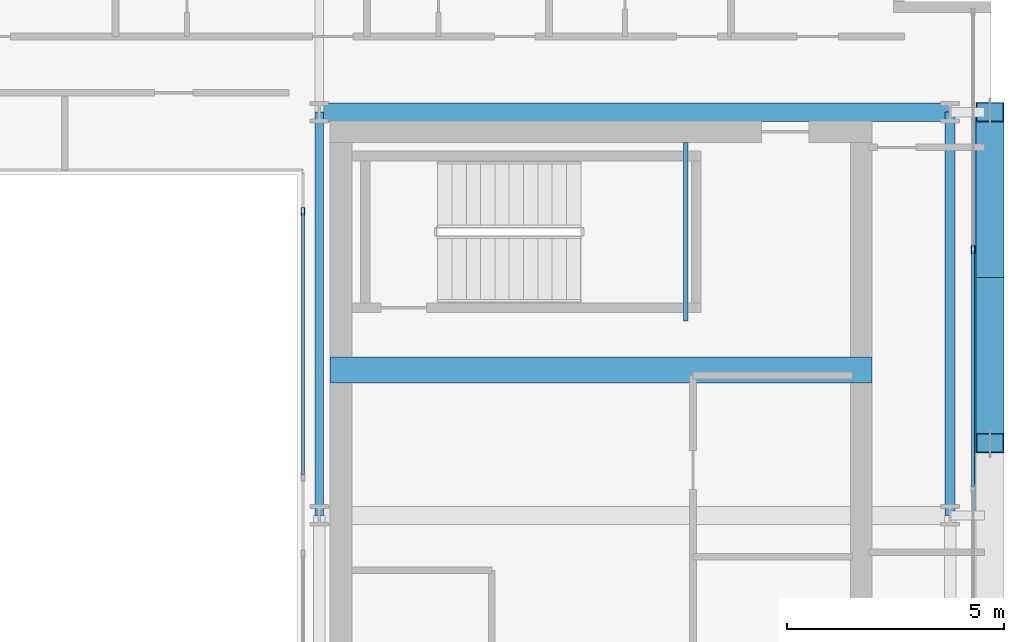
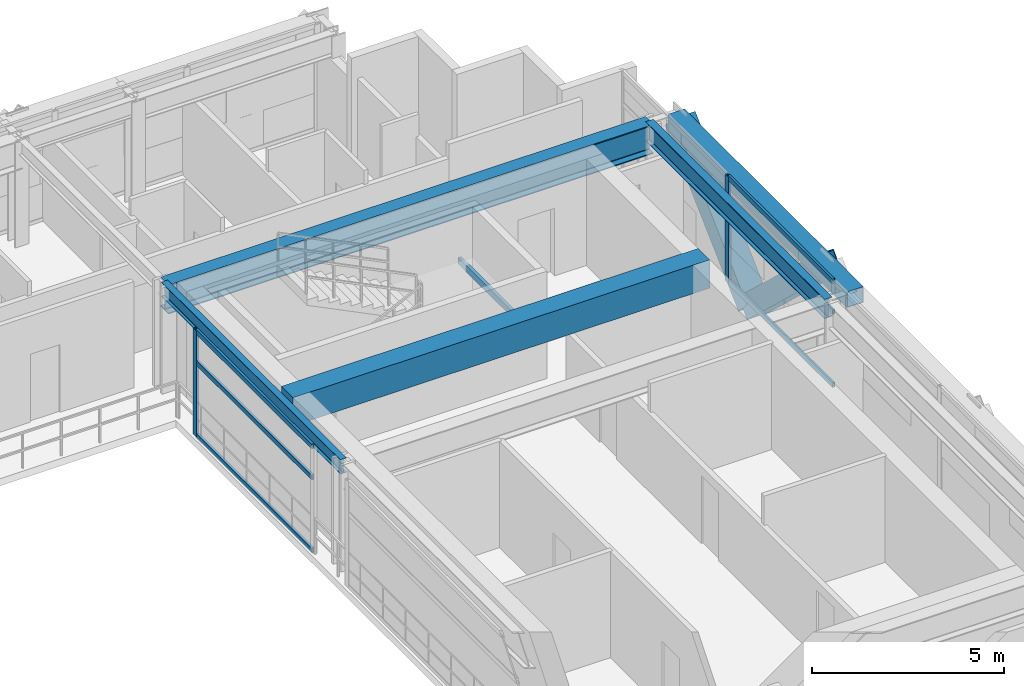
# One storey, part 18 of 37: 10 members, 6 beams, 2 elements without a shape of their own.
"""IFC4 building model written with IfcOpenShell, lengths in metres."""

from ifc_helpers import new_model, si_unit, direction, frame, origin, origin_2d, place, context, subcontext, project, spatial, rectangle, hollow_rectangle, i_section, extrude, source, transform, mapped, material, layer, layer_set, material_profile, profile_set, type_object, element, aggregate, save


model = new_model("IFC4")

# Units and contexts
model_context = context("Model", 3, precision=1e-05, world=origin(), true_north=direction((0.0, 1.0)))
body_context = subcontext(model_context, "Body", "Model", "MODEL_VIEW")
ifc_project = project(units=[si_unit("LENGTHUNIT", "METRE"), si_unit("AREAUNIT", "SQUARE_METRE"), si_unit("VOLUMEUNIT", "CUBIC_METRE"), si_unit("PLANEANGLEUNIT", "RADIAN"), si_unit("MASSUNIT", "GRAM", prefix="KILO")], contexts=[model_context])

# Site, building, storey
site_placement = place(None, origin())
site = spatial("IfcSite", under=ifc_project, at=site_placement, CompositionType="ELEMENT")
building_placement = place(site_placement, origin())
building = spatial("IfcBuilding", under=site, at=building_placement, Name="Ocotamira Hotel", CompositionType="ELEMENT")
storey_placement = place(building_placement, frame((0.0, 0.0, 192.0)))
storey = spatial("IfcBuildingStorey", under=building, at=storey_placement, Name="L48", CompositionType="ELEMENT", Elevation=192.0)

# Beams
ifc_material_1 = material(Name="Concrete C50/60", Category="concrete")
ifc_material_profile_1 = material_profile(ifc_material_1, rectangle(XDim=0.60009765625, YDim=0.89990234375, at=origin_2d()), Name="RC600X900")
ifc_profile_set_1 = profile_set([ifc_material_profile_1], Name="Concrete C50/60")
beam_type_1 = type_object("IfcBeamType", Name="BM-LINK-RC600", PredefinedType="LINTEL", material=ifc_profile_set_1)
shared_shape_1 = source(origin(), body_context, "Body", "SweptSolid", [
    extrude(rectangle(XDim=0.60009765625, YDim=0.89990234375, at=origin_2d()), origin(), (0.0, 0.0, 1.0), 12.5),
])
beam_1_placement = place(storey_placement, frame((40.75, 31.5, 2.919921875), z_axis=(1.0, 0.0, 0.0), x_axis=(0.0, 1.0, 0.0)))
element("IfcBeam", 1, at=beam_1_placement, inside=storey, type_object=beam_type_1, Name="L48 East Core Coupling Beam", PredefinedType="LINTEL", context=body_context, shape_type="MappedRepresentation", body=[
    mapped(shared_shape_1, transform((0.0, 0.0, 0.0), scale=1.0)),
])
ifc_material_2 = material(Name="Steel ASTM A500 Grade C", Category="steel")
ifc_material_profile_2 = material_profile(ifc_material_2, hollow_rectangle(XDim=0.10009765625, YDim=0.199951171875, WallThickness=0.008056640625, at=origin_2d()), Name="HSS200X100X8")
ifc_profile_set_2 = profile_set([ifc_material_profile_2], Name="Steel ASTM A500 Grade C")
beam_type_2 = type_object("IfcBeamType", Name="BM-STLDG-HSS200", PredefinedType="BEAM", material=ifc_profile_set_2)
shared_shape_2 = source(origin(), body_context, "Body", "SweptSolid", [
    extrude(hollow_rectangle(XDim=0.10009765625, YDim=0.199951171875, WallThickness=0.008056640625, at=origin_2d()), origin(), (0.0, 0.0, 1.0), 4.1201171875),
])
beam_2_placement = place(storey_placement, frame((48.949951171875, 32.6298828125, 1.5), z_axis=(0.0, 1.0, 0.0), x_axis=(-1.0, 0.0, 0.0)))
element("IfcBeam", 2, at=beam_2_placement, inside=storey, type_object=beam_type_2, Name="L48 Stair ST-4 Landing Bearer 1", PredefinedType="BEAM", context=body_context, shape_type="MappedRepresentation", body=[
    mapped(shared_shape_2, transform((0.0, 0.0, 0.0), scale=1.0)),
])
ifc_material_3 = material(Name="Steel ASTM A992 Grade 50", Category="steel")
ifc_material_profile_3 = material_profile(ifc_material_3, i_section(OverallWidth=0.41796875, OverallDepth=0.927001953125, WebThickness=0.019287109375, FlangeThickness=0.031982421875, FilletRadius=0.02392578125, at=origin_2d()), Name="W36X231")
ifc_profile_set_3 = profile_set([ifc_material_profile_3], Name="Steel ASTM A992 Grade 50")
beam_type_3 = type_object("IfcBeamType", Name="BM-GIRD-W36X231", PredefinedType="BEAM", material=ifc_profile_set_3)
shared_shape_3 = source(origin(), body_context, "Body", "SweptSolid", [
    extrude(i_section(OverallWidth=0.41796875, OverallDepth=0.927001953125, WebThickness=0.019287109375, FlangeThickness=0.031982421875, FilletRadius=0.02392578125, at=origin_2d()), origin(), (0.0, 0.0, 1.0), 14.550048828125),
])
beam_3_placement = place(storey_placement, frame((40.5, 37.449951171875, 2.906494140625), z_axis=(1.0, 0.0, 0.0), x_axis=(0.0, 1.0, 0.0)))
element("IfcBeam", 3, at=beam_3_placement, inside=storey, type_object=beam_type_3, Name="L48 Girder Y37.45 X40.5-55.05", PredefinedType="BEAM", context=body_context, shape_type="MappedRepresentation", body=[
    mapped(shared_shape_3, transform((0.0, 0.0, 0.0), scale=1.0)),
])
ifc_material_profile_4 = material_profile(ifc_material_3, i_section(OverallWidth=0.22998046875, OverallDepth=0.616943359375, WebThickness=0.01318359375, FlangeThickness=0.022216796875, FilletRadius=0.012939453125, at=origin_2d()), Name="W24X94")
ifc_profile_set_4 = profile_set([ifc_material_profile_4], Name="Steel ASTM A992 Grade 50")
beam_type_4 = type_object("IfcBeamType", Name="BM-PRIM-W24X94", PredefinedType="BEAM", material=ifc_profile_set_4)
shared_shape_4 = source(origin(), body_context, "Body", "SweptSolid", [
    extrude(i_section(OverallWidth=0.22998046875, OverallDepth=0.616943359375, WebThickness=0.01318359375, FlangeThickness=0.022216796875, FilletRadius=0.012939453125, at=origin_2d()), origin(), (0.0, 0.0, 1.0), 9.300048828125),
])
beam_4_placement = place(storey_placement, frame((55.050048828125, 28.14990234375, 3.0615234375), z_axis=(0.0, 1.0, 0.0), x_axis=(-1.0, 0.0, 0.0)))
element("IfcBeam", 4, at=beam_4_placement, inside=storey, type_object=beam_type_4, Name="L48 Beam X55.05 Y28.15-37.45", PredefinedType="BEAM", context=body_context, shape_type="MappedRepresentation", body=[
    mapped(shared_shape_4, transform((0.0, 0.0, 0.0), scale=1.0)),
])
ifc_material_profile_5 = material_profile(ifc_material_3, i_section(OverallWidth=0.18994140625, OverallDepth=0.45703125, WebThickness=0.009033203125, FlangeThickness=0.014404296875, FilletRadius=0.010009765625, at=origin_2d()), Name="W18X50")
ifc_profile_set_5 = profile_set([ifc_material_profile_5], Name="Steel ASTM A992 Grade 50")
beam_type_5 = type_object("IfcBeamType", Name="BM-SEC-W18X50", PredefinedType="JOIST", material=ifc_profile_set_5)
shared_shape_5 = source(origin(), body_context, "Body", "SweptSolid", [
    extrude(i_section(OverallWidth=0.18994140625, OverallDepth=0.45703125, WebThickness=0.009033203125, FlangeThickness=0.014404296875, FilletRadius=0.010009765625, at=origin_2d()), origin(), (0.0, 0.0, 1.0), 9.300048828125),
])
beam_5_placement = place(storey_placement, frame((40.5, 28.14990234375, 3.1416015625), z_axis=(0.0, 1.0, 0.0), x_axis=(-1.0, 0.0, 0.0)))
element("IfcBeam", 5, at=beam_5_placement, inside=storey, type_object=beam_type_5, Name="L48 Beam X40.5 Y28.15-37.45", PredefinedType="JOIST", context=body_context, shape_type="MappedRepresentation", body=[
    mapped(shared_shape_5, transform((0.0, 0.0, 0.0), scale=1.0)),
])
ifc_material_profile_6 = material_profile(ifc_material_2, hollow_rectangle(XDim=0.5, YDim=0.5, WallThickness=0.02001953125, at=origin_2d()), Name="HSS500X500X20")
ifc_profile_set_6 = profile_set([ifc_material_profile_6], Name="Steel ASTM A500 Grade C")
beam_type_6 = type_object("IfcBeamType", Name="BM-SPAN-HSS500", PredefinedType="USERDEFINED", material=ifc_profile_set_6)
shared_shape_6 = source(origin(), body_context, "Body", "SweptSolid", [
    extrude(hollow_rectangle(XDim=0.5, YDim=0.5, WallThickness=0.02001953125, at=origin_2d()), origin(), (0.0, 0.0, 1.0), 9.300048828125),
])
beam_6_placement = place(storey_placement, frame((55.85009765625, 28.14990234375, 3.1201171875), z_axis=(0.0, 1.0, 0.0), x_axis=(-1.0, 0.0, 0.0)))
element("IfcBeam", 6, at=beam_6_placement, inside=storey, type_object=beam_type_6, Name="L48 Edge Spandrel E Y28.15-37.45", ObjectType="SPANDREL", PredefinedType="USERDEFINED", context=body_context, shape_type="MappedRepresentation", body=[
    mapped(shared_shape_6, transform((0.0, 0.0, 0.0), scale=1.0)),
])

# Members
ifc_material_4 = material(Name="Pale-metal coated steel ASTM A913 Grade 65", Category="steel")
ifc_material_profile_7 = material_profile(ifc_material_4, hollow_rectangle(XDim=0.64990234375, YDim=0.64990234375, WallThickness=0.02197265625, at=origin_2d()), Name="BOX650X650X22")
ifc_profile_set_7 = profile_set([ifc_material_profile_7], Name="Pale-metal coated steel ASTM A913 Grade 65")
member_type_1 = type_object("IfcMemberType", Name="MEM-EXO-BOX650", PredefinedType="BRACE", material=ifc_profile_set_7)
shared_shape_7 = source(origin(), body_context, "Body", "SweptSolid", [
    extrude(hollow_rectangle(XDim=0.64990234375, YDim=0.64990234375, WallThickness=0.02197265625, at=origin_2d()), origin(), (0.0, 0.0, 1.0), 5.24658203125),
])
for number, where, z_axis, x_axis, name in (
    (7, (55.969970703125, 33.63330078125, -0.47998046875), (0.0, -0.727442733726, 0.686168397078), (1.0, 0.0, 0.0), "L48 Exoskeleton Diagrid E2.1"),
    (8, (55.969970703125, 33.63330078125, -0.47998046875), (0.0, 0.727442733726, 0.686168397078), (-1.0, 0.0, 0.0), "L48 Exoskeleton Diagrid E2.2"),
):
    element("IfcMember", number, at=place(storey_placement, frame(where, z_axis=z_axis, x_axis=x_axis)), inside=storey, type_object=member_type_1, Name=name, PredefinedType="BRACE", context=body_context, shape_type="MappedRepresentation", body=[
        mapped(shared_shape_7, transform((0.0, 0.0, 0.0), scale=1.0)),
    ])

# Curtain wall, member
ifc_material_5 = material(Name="Anodised pale-metal aluminium and solar glass", Category="aluminium")
ifc_layer_1 = layer(ifc_material_5, 0.199951171875)
ifc_layer_set_1 = layer_set([ifc_layer_1], Name="Anodised pale-metal aluminium and solar glass")
curtain_wall_type_1 = type_object("IfcCurtainWallType", Name="CW-SYS4-Z3", PredefinedType="NOTDEFINED", material=ifc_layer_set_1)
curtain_wall_1_placement = place(storey_placement, origin())
curtain_wall_1 = element("IfcCurtainWall", 9, at=curtain_wall_1_placement, inside=storey, type_object=curtain_wall_type_1, Name="L48 Curtain Wall CW-4 CW-L48-E", PredefinedType="NOTDEFINED")
ifc_material_6 = material(Name="Anodised pale-metal aluminium 6063-T6", Category="aluminium")
ifc_material_profile_8 = material_profile(ifc_material_6, hollow_rectangle(XDim=0.080078125, YDim=0.179931640625, WallThickness=0.006103515625, at=origin_2d()), Name="HSS180X80X6")
ifc_profile_set_8 = profile_set([ifc_material_profile_8], Name="Anodised pale-metal aluminium 6063-T6")
member_type_2 = type_object("IfcMemberType", Name="CWM-180X75", PredefinedType="MULLION", material=ifc_profile_set_8)
shared_shape_8 = source(origin(), body_context, "Body", "SweptSolid", [
    extrude(hollow_rectangle(XDim=0.080078125, YDim=0.179931640625, WallThickness=0.006103515625, at=origin_2d()), origin(), (0.0, 0.0, 1.0), 3.3701171875),
])
member_1_placement = place(storey_placement, frame((55.580078125, 34.280029296875, 0.0), z_axis=(0.0, 0.0, 1.0), x_axis=(-1.0, 0.0, 0.0)))
member_1 = element("IfcMember", 10, at=member_1_placement, type_object=member_type_2, Name="CW-4 mullion 5", PredefinedType="MULLION", context=body_context, shape_type="MappedRepresentation", body=[
    mapped(shared_shape_8, transform((0.0, 0.0, 0.0), scale=1.0)),
])

ifc_layer_2 = layer(ifc_material_5, 0.159912109375)
ifc_layer_set_2 = layer_set([ifc_layer_2], Name="Anodised pale-metal aluminium and solar glass")
curtain_wall_type_2 = type_object("IfcCurtainWallType", Name="CW-SYS6-ATR", PredefinedType="NOTDEFINED", material=ifc_layer_set_2)
curtain_wall_2_placement = place(storey_placement, origin())
curtain_wall_2 = element("IfcCurtainWall", 11, at=curtain_wall_2_placement, inside=storey, type_object=curtain_wall_type_2, Name="L48 Curtain Wall CW-6 CW-L48-ATRE2", PredefinedType="NOTDEFINED")
member_2_placement = place(storey_placement, frame((40.1201171875, 35.159912109375, 0.0), z_axis=(0.0, 0.0, 1.0), x_axis=(-1.0, 0.0, 0.0)))
member_2 = element("IfcMember", 12, at=member_2_placement, type_object=member_type_2, Name="CW-6 mullion 2", PredefinedType="MULLION", context=body_context, shape_type="MappedRepresentation", body=[
    mapped(shared_shape_8, transform((0.0, 0.0, 0.0), scale=1.0)),
])

# Member
ifc_material_profile_9 = material_profile(ifc_material_6, hollow_rectangle(XDim=0.074951171875, YDim=0.14990234375, WallThickness=0.006103515625, at=origin_2d()), Name="HSS150X75X6")
ifc_profile_set_9 = profile_set([ifc_material_profile_9], Name="Anodised pale-metal aluminium 6063-T6")
member_type_3 = type_object("IfcMemberType", Name="CWT-150X75", PredefinedType="USERDEFINED", material=ifc_profile_set_9)
shared_shape_9 = source(origin(), body_context, "Body", "SweptSolid", [
    extrude(hollow_rectangle(XDim=0.074951171875, YDim=0.14990234375, WallThickness=0.006103515625, at=origin_2d()), origin(), (0.0, 0.0, 1.0), 5.43994140625),
])
member_3_placement = place(storey_placement, frame((55.580078125, 28.800048828125, 0.03759765625), z_axis=(0.0, 1.0, 0.0), x_axis=(-1.0, 0.0, 0.0)))
member_3 = element("IfcMember", 13, at=member_3_placement, type_object=member_type_3, Name="CW-4 transom 4.1", ObjectType="TRANSOM", PredefinedType="USERDEFINED", context=body_context, shape_type="MappedRepresentation", body=[
    mapped(shared_shape_9, transform((0.0, 0.0, 0.0), scale=1.0)),
])

member_4_placement = place(storey_placement, frame((55.580078125, 28.800048828125, 2.35009765625), z_axis=(0.0, 1.0, 0.0), x_axis=(-1.0, 0.0, 0.0)))
member_4 = element("IfcMember", 14, at=member_4_placement, type_object=member_type_3, Name="CW-4 transom 4.2", ObjectType="TRANSOM", PredefinedType="USERDEFINED", context=body_context, shape_type="MappedRepresentation", body=[
    mapped(shared_shape_9, transform((0.0, 0.0, 0.0), scale=1.0)),
])

member_5_placement = place(storey_placement, frame((55.580078125, 28.800048828125, 3.33251953125), z_axis=(0.0, 1.0, 0.0), x_axis=(-1.0, 0.0, 0.0)))
member_5 = element("IfcMember", 15, at=member_5_placement, type_object=member_type_3, Name="CW-4 transom 4.3", ObjectType="TRANSOM", PredefinedType="USERDEFINED", context=body_context, shape_type="MappedRepresentation", body=[
    mapped(shared_shape_9, transform((0.0, 0.0, 0.0), scale=1.0)),
])

aggregate(curtain_wall_1, [member_1, member_3, member_4, member_5])

shared_shape_10 = source(origin(), body_context, "Body", "SweptSolid", [
    extrude(hollow_rectangle(XDim=0.074951171875, YDim=0.14990234375, WallThickness=0.006103515625, at=origin_2d()), origin(), (0.0, 0.0, 1.0), 6.0400390625),
])
member_6_placement = place(storey_placement, frame((40.1201171875, 29.080078125, 0.03759765625), z_axis=(0.0, 1.0, 0.0), x_axis=(-1.0, 0.0, 0.0)))
member_6 = element("IfcMember", 16, at=member_6_placement, type_object=member_type_3, Name="CW-6 transom 1.1", ObjectType="TRANSOM", PredefinedType="USERDEFINED", context=body_context, shape_type="MappedRepresentation", body=[
    mapped(shared_shape_10, transform((0.0, 0.0, 0.0), scale=1.0)),
])

member_7_placement = place(storey_placement, frame((40.1201171875, 29.080078125, 2.35009765625), z_axis=(0.0, 1.0, 0.0), x_axis=(-1.0, 0.0, 0.0)))
member_7 = element("IfcMember", 17, at=member_7_placement, type_object=member_type_3, Name="CW-6 transom 1.2", ObjectType="TRANSOM", PredefinedType="USERDEFINED", context=body_context, shape_type="MappedRepresentation", body=[
    mapped(shared_shape_10, transform((0.0, 0.0, 0.0), scale=1.0)),
])

member_8_placement = place(storey_placement, frame((40.1201171875, 29.080078125, 3.33251953125), z_axis=(0.0, 1.0, 0.0), x_axis=(-1.0, 0.0, 0.0)))
member_8 = element("IfcMember", 18, at=member_8_placement, type_object=member_type_3, Name="CW-6 transom 1.3", ObjectType="TRANSOM", PredefinedType="USERDEFINED", context=body_context, shape_type="MappedRepresentation", body=[
    mapped(shared_shape_10, transform((0.0, 0.0, 0.0), scale=1.0)),
])

aggregate(curtain_wall_2, [member_2, member_6, member_7, member_8])

save(model, "model.ifc")
